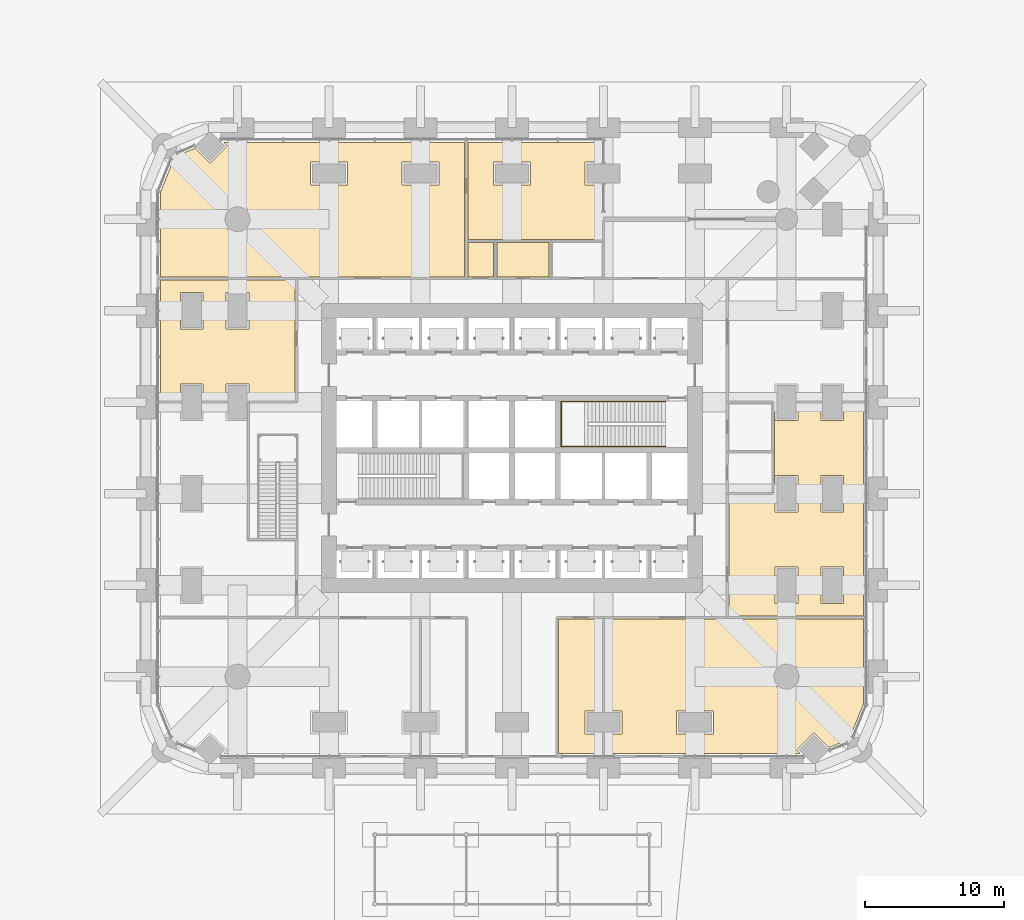
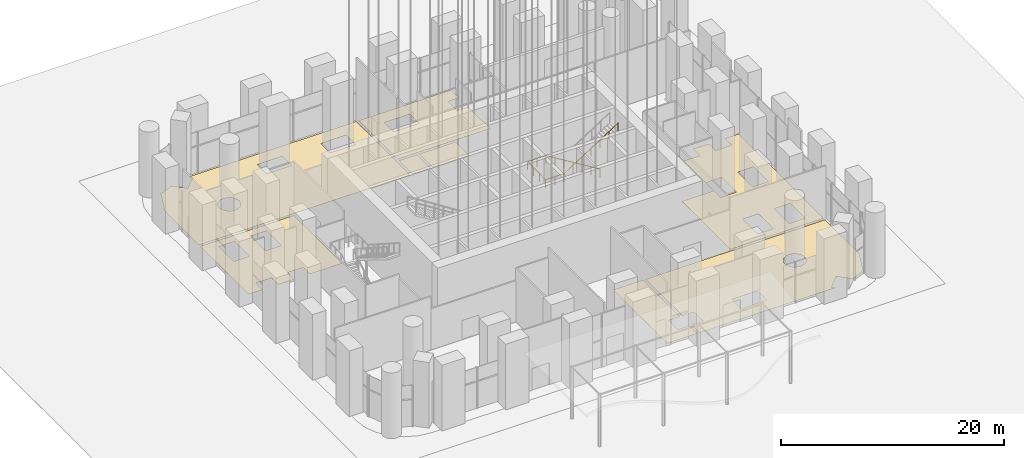
# One storey, part 21 of 32: 8 coverings, 1 railing.
"""IFC4 building model written with IfcOpenShell, lengths in metres."""

from ifc_helpers import new_model, si_unit, direction, frame, origin, place, context, subcontext, project, spatial, polyline, outline, extrude, material, layer, layer_set, type_object, element, save


model = new_model("IFC4")

# Units and contexts
model_context = context("Model", 3, precision=1e-05, world=origin(), true_north=direction((0.0, 1.0)))
body_context = subcontext(model_context, "Body", "Model", "MODEL_VIEW")
ifc_project = project(units=[si_unit("LENGTHUNIT", "METRE"), si_unit("AREAUNIT", "SQUARE_METRE"), si_unit("VOLUMEUNIT", "CUBIC_METRE"), si_unit("PLANEANGLEUNIT", "RADIAN"), si_unit("MASSUNIT", "GRAM", prefix="KILO")], contexts=[model_context])

# Site, building, storey
site_placement = place(None, origin())
site = spatial("IfcSite", under=ifc_project, at=site_placement, CompositionType="ELEMENT")
building_placement = place(site_placement, origin())
building = spatial("IfcBuilding", under=site, at=building_placement, Name="Cobogo Forest Laboratory Tower", CompositionType="ELEMENT")
storey_placement = place(building_placement, origin())
storey = spatial("IfcBuildingStorey", under=building, at=storey_placement, Name="L00", CompositionType="ELEMENT", Elevation=0.0)

# Coverings
ifc_material_1 = material(Name="Carpet tile on raised access floor", Category="flooring")
ifc_layer_1 = layer(ifc_material_1, 0.008056640625)
ifc_layer_set_1 = layer_set([ifc_layer_1], Name="CT1 carpet tile floor 8")
covering_type_1 = type_object("IfcCoveringType", Name="CT1 carpet tile floor 8", PredefinedType="FLOORING", material=ifc_layer_set_1)
covering_1_placement = place(storey_placement, origin())
element("IfcCovering", 1, at=covering_1_placement, inside=storey, type_object=covering_type_1, Name="Carpet floor L00-03", PredefinedType="FLOORING", context=body_context, shape_type="SweptSolid", body=[
    extrude(outline(polyline([(32.8798828125, 10.7548828125), (32.8798828125, 4.1201171875), (31.679931640625, 4.1201171875), (31.679931640625, 2.47998046875), (32.8798828125, 2.47998046875), (32.8798828125, 1.050048828125), (29.77001953125, 1.050048828125), (29.77001953125, 10.7548828125), (32.8798828125, 10.7548828125)])), origin(), (0.0, 0.0, 1.0), 0.008056640625),
])
covering_2_placement = place(storey_placement, origin())
element("IfcCovering", 2, at=covering_2_placement, inside=storey, type_object=covering_type_1, Name="Carpet floor L00-04", PredefinedType="FLOORING", context=body_context, shape_type="SweptSolid", body=[
    extrude(outline(polyline([(50.719482421875, 2.08056640625), (49.24658203125, 1.48388671875), (48.181884765625, 2.54833984375), (46.95166015625, 1.318115234375), (47.2197265625, 1.050048828125), (33.1201171875, 1.050048828125), (33.1201171875, 2.47998046875), (34.320068359375, 2.47998046875), (34.320068359375, 4.1201171875), (33.1201171875, 4.1201171875), (33.1201171875, 10.7548828125), (51.75, 10.7548828125), (51.75, 4.624267578125), (50.719482421875, 2.08056640625)]), holes=[polyline([(47.176025390625, 6.303955078125), (47.189453125, 6.35205078125), (47.200439453125, 6.401123046875), (47.208984375, 6.450439453125), (47.215087890625, 6.5), (47.21875, 6.550048828125), (47.219970703125, 6.60009765625), (47.21875, 6.650146484375), (47.215087890625, 6.699951171875), (47.208984375, 6.749755859375), (47.200439453125, 6.799072265625), (47.189453125, 6.847900390625), (47.176025390625, 6.89599609375), (47.160400390625, 6.943603515625), (47.142333984375, 6.990234375), (47.1220703125, 7.0361328125), (47.099609375, 7.080810546875), (47.074951171875, 7.12451171875), (47.048095703125, 7.166748046875), (47.019287109375, 7.20751953125), (46.988525390625, 7.2470703125), (46.955810546875, 7.284912109375), (46.92138671875, 7.3212890625), (46.885009765625, 7.355712890625), (46.84716796875, 7.388427734375), (46.8076171875, 7.419189453125), (46.7666015625, 7.4482421875), (46.724365234375, 7.474853515625), (46.680908203125, 7.49951171875), (46.63623046875, 7.522216796875), (46.59033203125, 7.54248046875), (46.543701171875, 7.560302734375), (46.49609375, 7.576171875), (46.44775390625, 7.58935546875), (46.39892578125, 7.600341796875), (46.349609375, 7.60888671875), (46.300048828125, 7.615234375), (46.25, 7.618896484375), (46.199951171875, 7.6201171875), (46.14990234375, 7.618896484375), (46.10009765625, 7.615234375), (46.05029296875, 7.60888671875), (46.0009765625, 7.600341796875), (45.9521484375, 7.58935546875), (45.90380859375, 7.576171875), (45.8564453125, 7.560302734375), (45.8095703125, 7.54248046875), (45.763916015625, 7.522216796875), (45.71923828125, 7.49951171875), (45.675537109375, 7.474853515625), (45.63330078125, 7.4482421875), (45.59228515625, 7.419189453125), (45.552978515625, 7.388427734375), (45.514892578125, 7.355712890625), (45.478759765625, 7.3212890625), (45.444091796875, 7.284912109375), (45.41162109375, 7.2470703125), (45.380615234375, 7.20751953125), (45.351806640625, 7.166748046875), (45.3251953125, 7.12451171875), (45.30029296875, 7.080810546875), (45.27783203125, 7.0361328125), (45.257568359375, 6.990234375), (45.239501953125, 6.943603515625), (45.223876953125, 6.89599609375), (45.21044921875, 6.847900390625), (45.199462890625, 6.799072265625), (45.19091796875, 6.749755859375), (45.184814453125, 6.699951171875), (45.18115234375, 6.650146484375), (45.179931640625, 6.60009765625), (45.18115234375, 6.550048828125), (45.184814453125, 6.5), (45.19091796875, 6.450439453125), (45.199462890625, 6.401123046875), (45.21044921875, 6.35205078125), (45.223876953125, 6.303955078125), (45.239501953125, 6.25634765625), (45.257568359375, 6.209716796875), (45.27783203125, 6.163818359375), (45.30029296875, 6.119140625), (45.3251953125, 6.07568359375), (45.351806640625, 6.033203125), (45.380615234375, 5.992431640625), (45.41162109375, 5.952880859375), (45.444091796875, 5.9150390625), (45.478759765625, 5.878662109375), (45.514892578125, 5.84423828125), (45.552978515625, 5.8115234375), (45.59228515625, 5.78076171875), (45.63330078125, 5.751953125), (45.675537109375, 5.72509765625), (45.71923828125, 5.700439453125), (45.763916015625, 5.677978515625), (45.8095703125, 5.65771484375), (45.8564453125, 5.6396484375), (45.90380859375, 5.623779296875), (45.9521484375, 5.610595703125), (46.0009765625, 5.599609375), (46.05029296875, 5.591064453125), (46.10009765625, 5.5849609375), (46.14990234375, 5.581298828125), (46.199951171875, 5.580078125), (46.25, 5.581298828125), (46.300048828125, 5.5849609375), (46.349609375, 5.591064453125), (46.39892578125, 5.599609375), (46.44775390625, 5.610595703125), (46.49609375, 5.623779296875), (46.543701171875, 5.6396484375), (46.59033203125, 5.65771484375), (46.63623046875, 5.677978515625), (46.680908203125, 5.700439453125), (46.724365234375, 5.72509765625), (46.7666015625, 5.751953125), (46.8076171875, 5.78076171875), (46.84716796875, 5.8115234375), (46.885009765625, 5.84423828125), (46.92138671875, 5.878662109375), (46.955810546875, 5.9150390625), (46.988525390625, 5.952880859375), (47.019287109375, 5.992431640625), (47.048095703125, 6.033203125), (47.074951171875, 6.07568359375), (47.099609375, 6.119140625), (47.1220703125, 6.163818359375), (47.142333984375, 6.209716796875), (47.160400390625, 6.25634765625), (47.176025390625, 6.303955078125)]), polyline([(38.280029296875, 4.1201171875), (38.280029296875, 2.47998046875), (40.919921875, 2.47998046875), (40.919921875, 4.1201171875), (38.280029296875, 4.1201171875)])]), origin(), (0.0, 0.0, 1.0), 0.008056640625),
])
covering_3_placement = place(storey_placement, origin())
element("IfcCovering", 3, at=covering_3_placement, inside=storey, type_object=covering_type_1, Name="Carpet floor L00-06", PredefinedType="FLOORING", context=body_context, shape_type="SweptSolid", body=[
    extrude(outline(polyline([(10.7548828125, 26.52001953125), (7.419921875, 26.52001953125), (7.419921875, 27.719970703125), (5.780029296875, 27.719970703125), (5.780029296875, 26.52001953125), (4.1201171875, 26.52001953125), (4.1201171875, 27.719970703125), (2.47998046875, 27.719970703125), (2.47998046875, 26.52001953125), (1.050048828125, 26.52001953125), (1.050048828125, 35.205078125), (10.7548828125, 35.205078125), (10.7548828125, 26.52001953125)]), holes=[polyline([(5.780029296875, 31.679931640625), (7.419921875, 31.679931640625), (7.419921875, 34.320068359375), (5.780029296875, 34.320068359375), (5.780029296875, 31.679931640625)]), polyline([(2.47998046875, 31.679931640625), (4.1201171875, 31.679931640625), (4.1201171875, 34.320068359375), (2.47998046875, 34.320068359375), (2.47998046875, 31.679931640625)])]), origin(), (0.0, 0.0, 1.0), 0.008056640625),
])
covering_4_placement = place(storey_placement, origin())
element("IfcCovering", 4, at=covering_4_placement, inside=storey, type_object=covering_type_1, Name="Carpet floor L00-07", PredefinedType="FLOORING", context=body_context, shape_type="SweptSolid", body=[
    extrude(outline(polyline([(1.050048828125, 35.445068359375), (1.050048828125, 41.575927734375), (2.08056640625, 44.119384765625), (3.553466796875, 44.716064453125), (4.617919921875, 43.651611328125), (5.848388671875, 44.882080078125), (5.580322265625, 45.14990234375), (22.97998046875, 45.14990234375), (22.97998046875, 35.445068359375), (1.050048828125, 35.445068359375)]), holes=[polyline([(18.47998046875, 43.719970703125), (18.47998046875, 42.080078125), (21.1201171875, 42.080078125), (21.1201171875, 43.719970703125), (18.47998046875, 43.719970703125)]), polyline([(11.8798828125, 43.719970703125), (11.8798828125, 42.080078125), (14.52001953125, 42.080078125), (14.52001953125, 43.719970703125), (11.8798828125, 43.719970703125)]), polyline([(7.58935546875, 39.35205078125), (7.600341796875, 39.401123046875), (7.60888671875, 39.450439453125), (7.615234375, 39.5), (7.618896484375, 39.550048828125), (7.6201171875, 39.60009765625), (7.618896484375, 39.650146484375), (7.615234375, 39.699951171875), (7.60888671875, 39.749755859375), (7.600341796875, 39.799072265625), (7.58935546875, 39.847900390625), (7.576171875, 39.89599609375), (7.560302734375, 39.943603515625), (7.54248046875, 39.990234375), (7.522216796875, 40.0361328125), (7.49951171875, 40.080810546875), (7.474853515625, 40.12451171875), (7.4482421875, 40.166748046875), (7.419189453125, 40.20751953125), (7.388427734375, 40.2470703125), (7.355712890625, 40.284912109375), (7.3212890625, 40.3212890625), (7.284912109375, 40.355712890625), (7.2470703125, 40.388427734375), (7.20751953125, 40.419189453125), (7.166748046875, 40.4482421875), (7.12451171875, 40.474853515625), (7.080810546875, 40.49951171875), (7.0361328125, 40.522216796875), (6.990234375, 40.54248046875), (6.943603515625, 40.560302734375), (6.89599609375, 40.576171875), (6.847900390625, 40.58935546875), (6.799072265625, 40.600341796875), (6.749755859375, 40.60888671875), (6.699951171875, 40.615234375), (6.650146484375, 40.618896484375), (6.60009765625, 40.6201171875), (6.550048828125, 40.618896484375), (6.5, 40.615234375), (6.450439453125, 40.60888671875), (6.401123046875, 40.600341796875), (6.35205078125, 40.58935546875), (6.303955078125, 40.576171875), (6.25634765625, 40.560302734375), (6.209716796875, 40.54248046875), (6.163818359375, 40.522216796875), (6.119140625, 40.49951171875), (6.07568359375, 40.474853515625), (6.033203125, 40.4482421875), (5.992431640625, 40.419189453125), (5.952880859375, 40.388427734375), (5.9150390625, 40.355712890625), (5.878662109375, 40.3212890625), (5.84423828125, 40.284912109375), (5.8115234375, 40.2470703125), (5.78076171875, 40.20751953125), (5.751953125, 40.166748046875), (5.72509765625, 40.12451171875), (5.700439453125, 40.080810546875), (5.677978515625, 40.0361328125), (5.65771484375, 39.990234375), (5.6396484375, 39.943603515625), (5.623779296875, 39.89599609375), (5.610595703125, 39.847900390625), (5.599609375, 39.799072265625), (5.591064453125, 39.749755859375), (5.5849609375, 39.699951171875), (5.581298828125, 39.650146484375), (5.580078125, 39.60009765625), (5.581298828125, 39.550048828125), (5.5849609375, 39.5), (5.591064453125, 39.450439453125), (5.599609375, 39.401123046875), (5.610595703125, 39.35205078125), (5.623779296875, 39.303955078125), (5.6396484375, 39.25634765625), (5.65771484375, 39.209716796875), (5.677978515625, 39.163818359375), (5.700439453125, 39.119140625), (5.72509765625, 39.07568359375), (5.751953125, 39.033203125), (5.78076171875, 38.992431640625), (5.8115234375, 38.952880859375), (5.84423828125, 38.9150390625), (5.878662109375, 38.878662109375), (5.9150390625, 38.84423828125), (5.952880859375, 38.8115234375), (5.992431640625, 38.78076171875), (6.033203125, 38.751953125), (6.07568359375, 38.72509765625), (6.119140625, 38.700439453125), (6.163818359375, 38.677978515625), (6.209716796875, 38.65771484375), (6.25634765625, 38.6396484375), (6.303955078125, 38.623779296875), (6.35205078125, 38.610595703125), (6.401123046875, 38.599609375), (6.450439453125, 38.591064453125), (6.5, 38.5849609375), (6.550048828125, 38.581298828125), (6.60009765625, 38.580078125), (6.650146484375, 38.581298828125), (6.699951171875, 38.5849609375), (6.749755859375, 38.591064453125), (6.799072265625, 38.599609375), (6.847900390625, 38.610595703125), (6.89599609375, 38.623779296875), (6.943603515625, 38.6396484375), (6.990234375, 38.65771484375), (7.0361328125, 38.677978515625), (7.080810546875, 38.700439453125), (7.12451171875, 38.72509765625), (7.166748046875, 38.751953125), (7.20751953125, 38.78076171875), (7.2470703125, 38.8115234375), (7.284912109375, 38.84423828125), (7.3212890625, 38.878662109375), (7.355712890625, 38.9150390625), (7.388427734375, 38.952880859375), (7.419189453125, 38.992431640625), (7.4482421875, 39.033203125), (7.474853515625, 39.07568359375), (7.49951171875, 39.119140625), (7.522216796875, 39.163818359375), (7.54248046875, 39.209716796875), (7.560302734375, 39.25634765625), (7.576171875, 39.303955078125), (7.58935546875, 39.35205078125)])]), origin(), (0.0, 0.0, 1.0), 0.008056640625),
])
covering_5_placement = place(storey_placement, origin())
element("IfcCovering", 5, at=covering_5_placement, inside=storey, type_object=covering_type_1, Name="Carpet floor L00-10", PredefinedType="FLOORING", context=body_context, shape_type="SweptSolid", body=[
    extrude(outline(polyline([(42.044921875, 19.679931640625), (45.344970703125, 19.679931640625), (45.344970703125, 26.280029296875), (45.3798828125, 26.280029296875), (45.3798828125, 25.080078125), (47.02001953125, 25.080078125), (47.02001953125, 26.280029296875), (48.679931640625, 26.280029296875), (48.679931640625, 25.080078125), (50.320068359375, 25.080078125), (50.320068359375, 26.280029296875), (51.75, 26.280029296875), (51.75, 10.9951171875), (42.044921875, 10.9951171875), (42.044921875, 19.679931640625)]), holes=[polyline([(48.679931640625, 11.8798828125), (50.320068359375, 11.8798828125), (50.320068359375, 14.52001953125), (48.679931640625, 14.52001953125), (48.679931640625, 11.8798828125)]), polyline([(48.679931640625, 18.47998046875), (50.320068359375, 18.47998046875), (50.320068359375, 21.1201171875), (48.679931640625, 21.1201171875), (48.679931640625, 18.47998046875)]), polyline([(45.3798828125, 14.52001953125), (45.3798828125, 11.8798828125), (47.02001953125, 11.8798828125), (47.02001953125, 14.52001953125), (45.3798828125, 14.52001953125)]), polyline([(45.3798828125, 18.47998046875), (47.02001953125, 18.47998046875), (47.02001953125, 21.1201171875), (45.3798828125, 21.1201171875), (45.3798828125, 18.47998046875)])]), origin(), (0.0, 0.0, 1.0), 0.008056640625),
])

# Railing
ifc_material_2 = material(Name="Stainless steel handrail", Category="steel")
railing_type = type_object("IfcRailingType", Name="HR handrail 900", PredefinedType="HANDRAIL", material=ifc_material_2)
railing_placement = place(storey_placement, frame((37.47509765625, 26.449951171875, 0.17138671875)))
element("IfcRailing", 6, at=railing_placement, inside=storey, type_object=railing_type, Name="Stair handrail ST2 L00", PredefinedType="HANDRAIL", context=body_context, shape_type="SweptSolid", body=[
    extrude(outline(polyline([(0.022216796875, 0.00927734375), (0.00927734375, 0.022216796875), (-0.00927734375, 0.022216796875), (-0.022216796875, 0.00927734375), (-0.022216796875, -0.00927734375), (-0.00927734375, -0.022216796875), (0.00927734375, -0.022216796875), (0.022216796875, -0.00927734375), (0.022216796875, 0.00927734375)])), frame((0.0, 0.0, 0.877685546875), z_axis=(-0.852845897599, 0.0, 0.522162690116), x_axis=(0.0, -1.0, 0.0)), (0.0, 0.0, 1.0), 6.56640625),
    extrude(outline(polyline([(0.022216796875, 0.00927734375), (0.00927734375, 0.022216796875), (-0.00927734375, 0.022216796875), (-0.022216796875, 0.00927734375), (-0.022216796875, -0.00927734375), (-0.00927734375, -0.022216796875), (0.00927734375, -0.022216796875), (0.022216796875, -0.00927734375), (0.022216796875, 0.00927734375)])), frame((-5.60009765625, 0.0, 4.306396484375), z_axis=(-1.0, 0.0, 0.0), x_axis=(0.0, -1.0, 0.0)), (0.0, 0.0, 1.0), 1.925048828125),
    extrude(outline(polyline([(0.022216796875, 0.00927734375), (0.00927734375, 0.022216796875), (-0.00927734375, 0.022216796875), (-0.022216796875, 0.00927734375), (-0.022216796875, -0.00927734375), (-0.00927734375, -0.022216796875), (0.00927734375, -0.022216796875), (0.022216796875, -0.00927734375), (0.022216796875, 0.00927734375)])), frame((-7.525146484375, 0.0, 4.306396484375), z_axis=(0.0, -1.0, 0.0), x_axis=(1.0, 0.0, 0.0)), (0.0, 0.0, 1.0), 3.25),
    extrude(outline(polyline([(0.022216796875, 0.00927734375), (0.00927734375, 0.022216796875), (-0.00927734375, 0.022216796875), (-0.022216796875, 0.00927734375), (-0.022216796875, -0.00927734375), (-0.00927734375, -0.022216796875), (0.00927734375, -0.022216796875), (0.022216796875, -0.00927734375), (0.022216796875, 0.00927734375)])), frame((-7.525146484375, -3.25, 4.306396484375), z_axis=(1.0, 0.0, 0.0), x_axis=(0.0, 1.0, 0.0)), (0.0, 0.0, 1.0), 1.925048828125),
    extrude(outline(polyline([(0.022216796875, 0.00927734375), (0.00927734375, 0.022216796875), (-0.00927734375, 0.022216796875), (-0.022216796875, 0.00927734375), (-0.022216796875, -0.00927734375), (-0.00927734375, -0.022216796875), (0.00927734375, -0.022216796875), (0.022216796875, -0.00927734375), (0.022216796875, 0.00927734375)])), frame((-5.60009765625, -3.25, 4.306396484375), z_axis=(0.841192773368, 0.0, 0.540735349347), x_axis=(0.0, 1.0, 0.0)), (0.0, 0.0, 1.0), 6.6572265625),
    extrude(outline(polyline([(0.019287109375, 0.008056640625), (0.008056640625, 0.019287109375), (-0.008056640625, 0.019287109375), (-0.019287109375, 0.008056640625), (-0.019287109375, -0.008056640625), (-0.008056640625, -0.019287109375), (0.008056640625, -0.019287109375), (0.019287109375, -0.008056640625), (0.019287109375, 0.008056640625)])), origin(), (0.0, 0.0, 1.0), 0.877685546875),
    extrude(outline(polyline([(0.019287109375, 0.008056640625), (0.008056640625, 0.019287109375), (-0.008056640625, 0.019287109375), (-0.019287109375, 0.008056640625), (-0.019287109375, -0.008056640625), (-0.008056640625, -0.019287109375), (0.008056640625, -0.019287109375), (0.019287109375, -0.008056640625), (0.019287109375, 0.008056640625)])), frame((-0.933349609375, 0.0, 0.571533203125)), (0.0, 0.0, 1.0), 0.877685546875),
    extrude(outline(polyline([(0.019287109375, 0.008056640625), (0.008056640625, 0.019287109375), (-0.008056640625, 0.019287109375), (-0.019287109375, 0.008056640625), (-0.019287109375, -0.008056640625), (-0.008056640625, -0.019287109375), (0.008056640625, -0.019287109375), (0.019287109375, -0.008056640625), (0.019287109375, 0.008056640625)])), frame((-1.86669921875, 0.0, 1.142822265625)), (0.0, 0.0, 1.0), 0.877685546875),
    extrude(outline(polyline([(0.019287109375, 0.008056640625), (0.008056640625, 0.019287109375), (-0.008056640625, 0.019287109375), (-0.019287109375, 0.008056640625), (-0.019287109375, -0.008056640625), (-0.008056640625, -0.019287109375), (0.008056640625, -0.019287109375), (0.019287109375, -0.008056640625), (0.019287109375, 0.008056640625)])), frame((-2.800048828125, 0.0, 1.71435546875)), (0.0, 0.0, 1.0), 0.877685546875),
    extrude(outline(polyline([(0.019287109375, 0.008056640625), (0.008056640625, 0.019287109375), (-0.008056640625, 0.019287109375), (-0.019287109375, 0.008056640625), (-0.019287109375, -0.008056640625), (-0.008056640625, -0.019287109375), (0.008056640625, -0.019287109375), (0.019287109375, -0.008056640625), (0.019287109375, 0.008056640625)])), frame((-3.7333984375, 0.0, 2.285888671875)), (0.0, 0.0, 1.0), 0.877685546875),
    extrude(outline(polyline([(0.019287109375, 0.008056640625), (0.008056640625, 0.019287109375), (-0.008056640625, 0.019287109375), (-0.019287109375, 0.008056640625), (-0.019287109375, -0.008056640625), (-0.008056640625, -0.019287109375), (0.008056640625, -0.019287109375), (0.019287109375, -0.008056640625), (0.019287109375, 0.008056640625)])), frame((-4.666748046875, 0.0, 2.857177734375)), (0.0, 0.0, 1.0), 0.877685546875),
    extrude(outline(polyline([(0.019287109375, 0.008056640625), (0.008056640625, 0.019287109375), (-0.008056640625, 0.019287109375), (-0.019287109375, 0.008056640625), (-0.019287109375, -0.008056640625), (-0.008056640625, -0.019287109375), (0.008056640625, -0.019287109375), (0.019287109375, -0.008056640625), (0.019287109375, 0.008056640625)])), frame((-5.60009765625, 0.0, 3.4287109375)), (0.0, 0.0, 1.0), 0.877685546875),
    extrude(outline(polyline([(0.019287109375, 0.008056640625), (0.008056640625, 0.019287109375), (-0.008056640625, 0.019287109375), (-0.019287109375, 0.008056640625), (-0.019287109375, -0.008056640625), (-0.008056640625, -0.019287109375), (0.008056640625, -0.019287109375), (0.019287109375, -0.008056640625), (0.019287109375, 0.008056640625)])), frame((-6.5625, 0.0, 3.4287109375)), (0.0, 0.0, 1.0), 0.877685546875),
    extrude(outline(polyline([(0.019287109375, 0.008056640625), (0.008056640625, 0.019287109375), (-0.008056640625, 0.019287109375), (-0.019287109375, 0.008056640625), (-0.019287109375, -0.008056640625), (-0.008056640625, -0.019287109375), (0.008056640625, -0.019287109375), (0.019287109375, -0.008056640625), (0.019287109375, 0.008056640625)])), frame((-7.525146484375, 0.0, 3.4287109375)), (0.0, 0.0, 1.0), 0.877685546875),
    extrude(outline(polyline([(0.019287109375, 0.008056640625), (0.008056640625, 0.019287109375), (-0.008056640625, 0.019287109375), (-0.019287109375, 0.008056640625), (-0.019287109375, -0.008056640625), (-0.008056640625, -0.019287109375), (0.008056640625, -0.019287109375), (0.019287109375, -0.008056640625), (0.019287109375, 0.008056640625)])), frame((-7.525146484375, -1.083251953125, 3.4287109375)), (0.0, 0.0, 1.0), 0.877685546875),
    extrude(outline(polyline([(0.019287109375, 0.008056640625), (0.008056640625, 0.019287109375), (-0.008056640625, 0.019287109375), (-0.019287109375, 0.008056640625), (-0.019287109375, -0.008056640625), (-0.008056640625, -0.019287109375), (0.008056640625, -0.019287109375), (0.019287109375, -0.008056640625), (0.019287109375, 0.008056640625)])), frame((-7.525146484375, -2.166748046875, 3.4287109375)), (0.0, 0.0, 1.0), 0.877685546875),
    extrude(outline(polyline([(0.019287109375, 0.008056640625), (0.008056640625, 0.019287109375), (-0.008056640625, 0.019287109375), (-0.019287109375, 0.008056640625), (-0.019287109375, -0.008056640625), (-0.008056640625, -0.019287109375), (0.008056640625, -0.019287109375), (0.019287109375, -0.008056640625), (0.019287109375, 0.008056640625)])), frame((-7.525146484375, -3.25, 3.4287109375)), (0.0, 0.0, 1.0), 0.877685546875),
    extrude(outline(polyline([(0.019287109375, 0.008056640625), (0.008056640625, 0.019287109375), (-0.008056640625, 0.019287109375), (-0.019287109375, 0.008056640625), (-0.019287109375, -0.008056640625), (-0.008056640625, -0.019287109375), (0.008056640625, -0.019287109375), (0.019287109375, -0.008056640625), (0.019287109375, 0.008056640625)])), frame((-6.5625, -3.25, 3.4287109375)), (0.0, 0.0, 1.0), 0.877685546875),
    extrude(outline(polyline([(0.019287109375, 0.008056640625), (0.008056640625, 0.019287109375), (-0.008056640625, 0.019287109375), (-0.019287109375, 0.008056640625), (-0.019287109375, -0.008056640625), (-0.008056640625, -0.019287109375), (0.008056640625, -0.019287109375), (0.019287109375, -0.008056640625), (0.019287109375, 0.008056640625)])), frame((-5.60009765625, -3.25, 3.4287109375)), (0.0, 0.0, 1.0), 0.877685546875),
    extrude(outline(polyline([(0.019287109375, 0.008056640625), (0.008056640625, 0.019287109375), (-0.008056640625, 0.019287109375), (-0.019287109375, 0.008056640625), (-0.019287109375, -0.008056640625), (-0.008056640625, -0.019287109375), (0.008056640625, -0.019287109375), (0.019287109375, -0.008056640625), (0.019287109375, 0.008056640625)])), frame((-4.666748046875, -3.25, 4.02880859375)), (0.0, 0.0, 1.0), 0.877685546875),
    extrude(outline(polyline([(0.019287109375, 0.008056640625), (0.008056640625, 0.019287109375), (-0.008056640625, 0.019287109375), (-0.019287109375, 0.008056640625), (-0.019287109375, -0.008056640625), (-0.008056640625, -0.019287109375), (0.008056640625, -0.019287109375), (0.019287109375, -0.008056640625), (0.019287109375, 0.008056640625)])), frame((-3.7333984375, -3.25, 4.628662109375)), (0.0, 0.0, 1.0), 0.877685546875),
    extrude(outline(polyline([(0.019287109375, 0.008056640625), (0.008056640625, 0.019287109375), (-0.008056640625, 0.019287109375), (-0.019287109375, 0.008056640625), (-0.019287109375, -0.008056640625), (-0.008056640625, -0.019287109375), (0.008056640625, -0.019287109375), (0.019287109375, -0.008056640625), (0.019287109375, 0.008056640625)])), frame((-2.800048828125, -3.25, 5.228515625)), (0.0, 0.0, 1.0), 0.877685546875),
    extrude(outline(polyline([(0.019287109375, 0.008056640625), (0.008056640625, 0.019287109375), (-0.008056640625, 0.019287109375), (-0.019287109375, 0.008056640625), (-0.019287109375, -0.008056640625), (-0.008056640625, -0.019287109375), (0.008056640625, -0.019287109375), (0.019287109375, -0.008056640625), (0.019287109375, 0.008056640625)])), frame((-1.86669921875, -3.25, 5.82861328125)), (0.0, 0.0, 1.0), 0.877685546875),
    extrude(outline(polyline([(0.019287109375, 0.008056640625), (0.008056640625, 0.019287109375), (-0.008056640625, 0.019287109375), (-0.019287109375, 0.008056640625), (-0.019287109375, -0.008056640625), (-0.008056640625, -0.019287109375), (0.008056640625, -0.019287109375), (0.019287109375, -0.008056640625), (0.019287109375, 0.008056640625)])), frame((-0.933349609375, -3.25, 6.4287109375)), (0.0, 0.0, 1.0), 0.877685546875),
    extrude(outline(polyline([(0.019287109375, 0.008056640625), (0.008056640625, 0.019287109375), (-0.008056640625, 0.019287109375), (-0.019287109375, 0.008056640625), (-0.019287109375, -0.008056640625), (-0.008056640625, -0.019287109375), (0.008056640625, -0.019287109375), (0.019287109375, -0.008056640625), (0.019287109375, 0.008056640625)])), frame((0.0, -3.25, 7.028564453125)), (0.0, 0.0, 1.0), 0.877685546875),
])

# Coverings
ifc_material_3 = material(Name="Ceramic floor tile", Category="flooring")
ifc_layer_2 = layer(ifc_material_3, 0.010009765625)
ifc_layer_set_2 = layer_set([ifc_layer_2], Name="TF1 ceramic tile floor 10")
covering_type_2 = type_object("IfcCoveringType", Name="TF1 ceramic tile floor 10", PredefinedType="FLOORING", material=ifc_layer_set_2)
covering_6_placement = place(storey_placement, origin())
element("IfcCovering", 7, at=covering_6_placement, inside=storey, type_object=covering_type_2, Name="Tile floor L00-08", PredefinedType="FLOORING", context=body_context, shape_type="SweptSolid", body=[
    extrude(outline(polyline([(23.219970703125, 38.14501953125), (23.219970703125, 45.14990234375), (32.800048828125, 45.14990234375), (32.800048828125, 43.719970703125), (31.679931640625, 43.719970703125), (31.679931640625, 42.080078125), (32.800048828125, 42.080078125), (32.800048828125, 39.39990234375), (32.8798828125, 39.39990234375), (32.8798828125, 38.14501953125), (23.219970703125, 38.14501953125)]), holes=[polyline([(27.719970703125, 43.719970703125), (25.080078125, 43.719970703125), (25.080078125, 42.080078125), (27.719970703125, 42.080078125), (27.719970703125, 43.719970703125)])]), origin(), (0.0, 0.0, 1.0), 0.010009765625),
])
covering_7_placement = place(storey_placement, origin())
element("IfcCovering", 8, at=covering_7_placement, inside=storey, type_object=covering_type_2, Name="Tile floor L00-12", PredefinedType="FLOORING", context=body_context, shape_type="SweptSolid", body=[
    extrude(outline(polyline([(25.080078125, 35.445068359375), (23.219970703125, 35.445068359375), (23.219970703125, 37.905029296875), (25.080078125, 37.905029296875), (25.080078125, 35.445068359375)])), origin(), (0.0, 0.0, 1.0), 0.010009765625),
])
covering_8_placement = place(storey_placement, origin())
element("IfcCovering", 9, at=covering_8_placement, inside=storey, type_object=covering_type_2, Name="Tile floor L00-13", PredefinedType="FLOORING", context=body_context, shape_type="SweptSolid", body=[
    extrude(outline(polyline([(29.080078125, 35.445068359375), (25.320068359375, 35.445068359375), (25.320068359375, 37.905029296875), (29.080078125, 37.905029296875), (29.080078125, 35.445068359375)])), origin(), (0.0, 0.0, 1.0), 0.010009765625),
])

save(model, "model.ifc")
